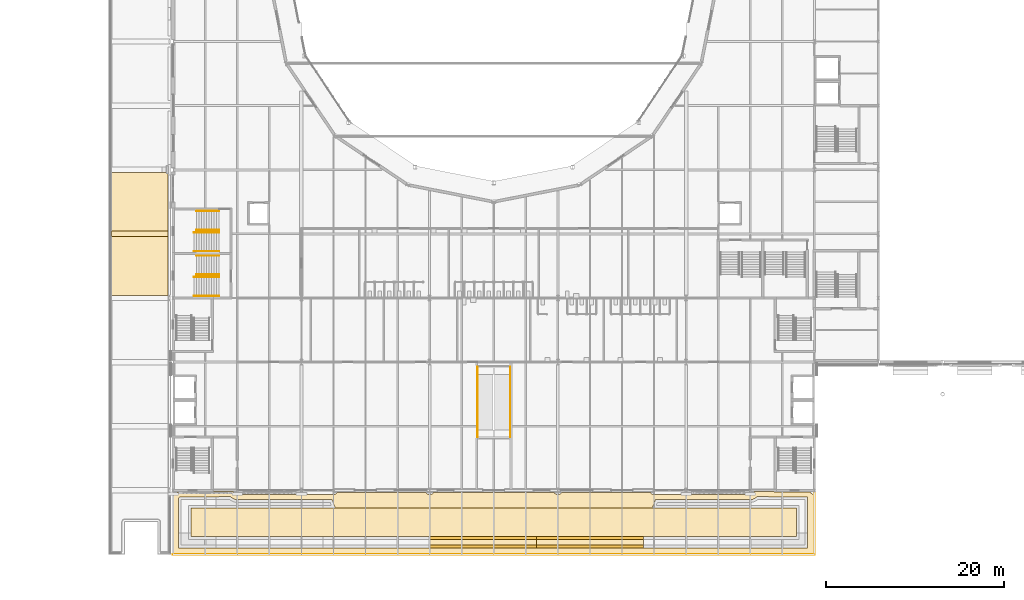
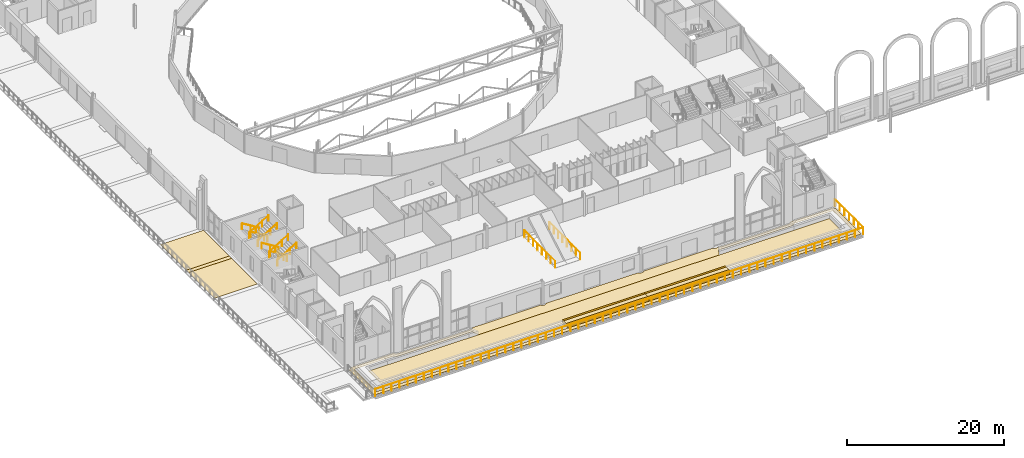
# One storey, part 105 of 143: 11 coverings, 11 railings.
"""IFC4 building model written with IfcOpenShell, lengths in metres."""

from ifc_helpers import new_model, si_unit, direction, frame, origin, origin_2d, place, context, subcontext, project, spatial, polyline, circle, outline, extrude, material, layer, layer_set, type_object, element, save


model = new_model("IFC4")

# Units and contexts
model_context = context("Model", 3, precision=1e-05, world=origin(), true_north=direction((0.0, 1.0)))
body_context = subcontext(model_context, "Body", "Model", "MODEL_VIEW")
ifc_project = project(units=[si_unit("LENGTHUNIT", "METRE"), si_unit("AREAUNIT", "SQUARE_METRE"), si_unit("VOLUMEUNIT", "CUBIC_METRE"), si_unit("PLANEANGLEUNIT", "RADIAN"), si_unit("MASSUNIT", "GRAM", prefix="KILO")], contexts=[model_context])

# Site, building, storey
site_placement = place(None, origin())
site = spatial("IfcSite", under=ifc_project, at=site_placement, CompositionType="ELEMENT")
building_placement = place(site_placement, origin())
building = spatial("IfcBuilding", under=site, at=building_placement, Name="Kupolbacken Congress Centre", CompositionType="ELEMENT")
storey_placement = place(building_placement, frame((0.0, 0.0, 7.199951171875)))
storey = spatial("IfcBuildingStorey", under=building, at=storey_placement, Name="L02", CompositionType="ELEMENT", Elevation=7.199951171875)

# Coverings
ifc_material_1 = material(Name="Limestone cladding", Category="masonry")
ifc_layer_1 = layer(ifc_material_1, 0.60009765625)
ifc_layer_set_1 = layer_set([ifc_layer_1], Name="Limestone cladding")
covering_type_1 = type_object("IfcCoveringType", Name="CV5 limestone arcade pier 600", PredefinedType="CLADDING", material=ifc_layer_set_1)
covering_1_placement = place(storey_placement, origin())
element("IfcCovering", 1, at=covering_1_placement, inside=storey, type_object=covering_type_1, Name="Bed kerb, roof garden", PredefinedType="CLADDING", context=body_context, shape_type="SweptSolid", body=[
    extrude(outline(polyline([(48.0, 23.6025390625), (48.0, 23.302490234375), (36.0, 23.302490234375), (36.0, 23.6025390625), (48.0, 23.6025390625)])), origin(), (0.0, 0.0, 1.0), 0.60009765625),
])
covering_2_placement = place(storey_placement, origin())
element("IfcCovering", 2, at=covering_2_placement, inside=storey, type_object=covering_type_1, Name="Bed kerb, roof garden", PredefinedType="CLADDING", context=body_context, shape_type="SweptSolid", body=[
    extrude(outline(polyline([(36.0, 22.35009765625), (36.0, 22.64990234375), (48.0, 22.64990234375), (48.0, 22.35009765625), (36.0, 22.35009765625)])), origin(), (0.0, 0.0, 1.0), 0.60009765625),
])
covering_3_placement = place(storey_placement, origin())
element("IfcCovering", 3, at=covering_3_placement, inside=storey, type_object=covering_type_1, Name="Bed kerb, roof garden", PredefinedType="CLADDING", context=body_context, shape_type="SweptSolid", body=[
    extrude(outline(polyline([(60.0, 23.6025390625), (60.0, 23.302490234375), (48.0, 23.302490234375), (48.0, 23.6025390625), (60.0, 23.6025390625)])), origin(), (0.0, 0.0, 1.0), 0.60009765625),
])
covering_4_placement = place(storey_placement, origin())
element("IfcCovering", 4, at=covering_4_placement, inside=storey, type_object=covering_type_1, Name="Bed kerb, roof garden", PredefinedType="CLADDING", context=body_context, shape_type="SweptSolid", body=[
    extrude(outline(polyline([(48.0, 22.35009765625), (48.0, 22.64990234375), (60.0, 22.64990234375), (60.0, 22.35009765625), (48.0, 22.35009765625)])), origin(), (0.0, 0.0, 1.0), 0.60009765625),
])
ifc_material_2 = material(Name="Limestone cladding", Category="masonry")
ifc_layer_2 = layer(ifc_material_2, 0.02001953125)
ifc_layer_set_2 = layer_set([ifc_layer_2], Name="Limestone cladding")
covering_type_2 = type_object("IfcCoveringType", Name="GF1 limestone paving 20", PredefinedType="FLOORING", material=ifc_layer_set_2)
covering_5_placement = place(storey_placement, origin())
element("IfcCovering", 5, at=covering_5_placement, inside=storey, type_object=covering_type_2, Name="West paving band", PredefinedType="FLOORING", context=body_context, shape_type="SweptSolid", body=[
    extrude(outline(polyline([(0.301025390625, 57.300048828125), (0.301025390625, 57.89990234375), (6.625, 57.89990234375), (6.625, 57.300048828125), (0.301025390625, 57.300048828125)])), origin(), (0.0, 0.0, 1.0), 0.02001953125),
])
covering_6_placement = place(storey_placement, origin())
element("IfcCovering", 6, at=covering_6_placement, inside=storey, type_object=covering_type_2, Name="Roof walk, roof garden", PredefinedType="FLOORING", context=body_context, shape_type="SweptSolid", body=[
    extrude(outline(polyline([(7.293701171875, 28.3291015625), (7.33935546875, 28.340576171875), (7.3837890625, 28.3564453125), (7.42626953125, 28.376708984375), (7.466796875, 28.40087890625), (7.50439453125, 28.428955078125), (7.539306640625, 28.460693359375), (7.571044921875, 28.49560546875), (7.59912109375, 28.533203125), (7.623291015625, 28.57373046875), (7.6435546875, 28.6162109375), (7.65380859375, 28.64501953125), (11.445068359375, 28.64501953125), (11.7548828125, 28.64501953125), (11.7548828125, 28.669921875), (13.96337890625, 28.669921875), (13.965576171875, 28.66064453125), (13.9814453125, 28.6162109375), (14.001708984375, 28.57373046875), (14.02587890625, 28.533203125), (14.053955078125, 28.49560546875), (14.085693359375, 28.460693359375), (14.12060546875, 28.428955078125), (14.158203125, 28.40087890625), (14.19873046875, 28.376708984375), (14.2412109375, 28.3564453125), (14.28564453125, 28.340576171875), (14.331298828125, 28.3291015625), (14.3779296875, 28.322265625), (14.425048828125, 28.320068359375), (14.4375, 28.320556640625), (14.44921875, 28.320068359375), (16.13818359375, 28.320068359375), (16.14990234375, 28.320556640625), (16.16259765625, 28.320068359375), (16.175048828125, 28.320556640625), (16.186767578125, 28.320068359375), (17.900634765625, 28.320068359375), (17.91259765625, 28.320556640625), (17.925048828125, 28.320068359375), (17.9375, 28.320556640625), (17.94921875, 28.320068359375), (19.6630859375, 28.320068359375), (19.675048828125, 28.320556640625), (19.6875, 28.320068359375), (19.699951171875, 28.320556640625), (19.7119140625, 28.320068359375), (21.400634765625, 28.320068359375), (21.41259765625, 28.320556640625), (21.425048828125, 28.320068359375), (21.47216796875, 28.322265625), (21.512451171875, 28.328369140625), (21.552978515625, 28.322265625), (21.60009765625, 28.320068359375), (21.647216796875, 28.322265625), (21.68994140625, 28.32861328125), (21.73291015625, 28.322265625), (21.780029296875, 28.320068359375), (21.794921875, 28.32080078125), (21.809326171875, 28.320068359375), (23.44580078125, 28.320068359375), (23.4599609375, 28.32080078125), (23.47509765625, 28.320068359375), (23.489990234375, 28.32080078125), (23.50439453125, 28.320068359375), (25.140625, 28.320068359375), (25.155029296875, 28.32080078125), (25.169921875, 28.320068359375), (25.217041015625, 28.322265625), (25.263671875, 28.3291015625), (25.309326171875, 28.340576171875), (25.353759765625, 28.3564453125), (25.396240234375, 28.376708984375), (25.436767578125, 28.40087890625), (25.474609375, 28.428955078125), (25.509521484375, 28.460693359375), (25.541015625, 28.49560546875), (25.569091796875, 28.533203125), (25.572998046875, 28.5400390625), (35.596923828125, 28.5400390625), (35.600830078125, 28.533203125), (35.62890625, 28.49560546875), (35.66064453125, 28.460693359375), (35.695556640625, 28.428955078125), (35.7333984375, 28.40087890625), (35.773681640625, 28.376708984375), (35.81640625, 28.3564453125), (35.860595703125, 28.340576171875), (35.90625, 28.3291015625), (35.952880859375, 28.322265625), (36.0, 28.320068359375), (36.047119140625, 28.322265625), (36.09375, 28.3291015625), (36.139404296875, 28.340576171875), (36.18359375, 28.3564453125), (36.226318359375, 28.376708984375), (36.2666015625, 28.40087890625), (36.304443359375, 28.428955078125), (36.33935546875, 28.460693359375), (36.37109375, 28.49560546875), (36.399169921875, 28.533203125), (36.403076171875, 28.5400390625), (49.996826171875, 28.5400390625), (50.0009765625, 28.533203125), (50.02880859375, 28.49560546875), (50.060546875, 28.460693359375), (50.095458984375, 28.428955078125), (50.13330078125, 28.40087890625), (50.173583984375, 28.376708984375), (50.21630859375, 28.3564453125), (50.2607421875, 28.340576171875), (50.306396484375, 28.3291015625), (50.352783203125, 28.322265625), (50.39990234375, 28.320068359375), (50.447021484375, 28.322265625), (50.49365234375, 28.3291015625), (50.539306640625, 28.340576171875), (50.583740234375, 28.3564453125), (50.626220703125, 28.376708984375), (50.666748046875, 28.40087890625), (50.70458984375, 28.428955078125), (50.739501953125, 28.460693359375), (50.77099609375, 28.49560546875), (50.799072265625, 28.533203125), (50.802978515625, 28.5400390625), (60.826904296875, 28.5400390625), (60.830810546875, 28.533203125), (60.85888671875, 28.49560546875), (60.890625, 28.460693359375), (60.925537109375, 28.428955078125), (60.96337890625, 28.40087890625), (61.003662109375, 28.376708984375), (61.04638671875, 28.3564453125), (61.0908203125, 28.340576171875), (61.13623046875, 28.3291015625), (61.182861328125, 28.322265625), (61.22998046875, 28.320068359375), (61.2451171875, 28.32080078125), (61.25927734375, 28.320068359375), (62.895751953125, 28.320068359375), (62.909912109375, 28.32080078125), (62.925048828125, 28.320068359375), (62.93994140625, 28.32080078125), (62.954345703125, 28.320068359375), (64.5908203125, 28.320068359375), (64.60498046875, 28.32080078125), (64.6201171875, 28.320068359375), (64.6669921875, 28.322265625), (64.7099609375, 28.32861328125), (64.7529296875, 28.322265625), (64.800048828125, 28.320068359375), (64.84716796875, 28.322265625), (64.887451171875, 28.328369140625), (64.927978515625, 28.322265625), (64.97509765625, 28.320068359375), (64.987548828125, 28.320556640625), (64.999267578125, 28.320068359375), (66.688232421875, 28.320068359375), (66.699951171875, 28.320556640625), (66.71240234375, 28.320068359375), (66.72509765625, 28.320556640625), (66.73681640625, 28.320068359375), (68.45068359375, 28.320068359375), (68.46240234375, 28.320556640625), (68.47509765625, 28.320068359375), (68.487548828125, 28.320556640625), (68.499267578125, 28.320068359375), (70.213134765625, 28.320068359375), (70.22509765625, 28.320556640625), (70.237548828125, 28.320068359375), (70.25, 28.320556640625), (70.26171875, 28.320068359375), (71.95068359375, 28.320068359375), (71.96240234375, 28.320556640625), (71.97509765625, 28.320068359375), (72.022216796875, 28.322265625), (72.068603515625, 28.3291015625), (72.1142578125, 28.340576171875), (72.15869140625, 28.3564453125), (72.201416015625, 28.376708984375), (72.24169921875, 28.40087890625), (72.279541015625, 28.428955078125), (72.314453125, 28.460693359375), (72.34619140625, 28.49560546875), (72.3740234375, 28.533203125), (72.3984375, 28.57373046875), (72.41845703125, 28.6162109375), (72.434326171875, 28.66064453125), (72.436767578125, 28.669921875), (74.64501953125, 28.669921875), (74.64501953125, 28.64501953125), (74.89501953125, 28.64501953125), (74.955078125, 28.64501953125), (78.74609375, 28.64501953125), (78.756591796875, 28.6162109375), (78.776611328125, 28.57373046875), (78.80078125, 28.533203125), (78.828857421875, 28.49560546875), (78.860595703125, 28.460693359375), (78.8955078125, 28.428955078125), (78.933349609375, 28.40087890625), (78.9736328125, 28.376708984375), (79.016357421875, 28.3564453125), (79.02001953125, 28.355224609375), (79.02001953125, 21.780029296875), (7.202392578125, 21.780029296875), (7.202392578125, 28.320068359375), (7.2470703125, 28.322265625), (7.293701171875, 28.3291015625)]), holes=[polyline([(78.449951171875, 22.35009765625), (78.449951171875, 28.064697265625), (78.440673828125, 28.074951171875), (75.52490234375, 28.074951171875), (74.324951171875, 28.074951171875), (74.074951171875, 28.074951171875), (74.074951171875, 28.10009765625), (72.7568359375, 28.10009765625), (72.718017578125, 28.056884765625), (72.6416015625, 27.98779296875), (72.558837890625, 27.926513671875), (72.47021484375, 27.873291015625), (72.377197265625, 27.829345703125), (72.280029296875, 27.79443359375), (72.179931640625, 27.76953125), (72.077880859375, 27.75439453125), (71.97509765625, 27.749267578125), (71.960205078125, 27.75), (70.252197265625, 27.75), (70.237548828125, 27.749267578125), (70.222900390625, 27.75), (68.48974609375, 27.75), (68.47509765625, 27.749267578125), (68.460205078125, 27.75), (66.727294921875, 27.75), (66.71240234375, 27.749267578125), (66.69775390625, 27.75), (64.98974609375, 27.75), (64.97509765625, 27.749267578125), (64.887451171875, 27.753662109375), (64.800048828125, 27.749267578125), (64.7099609375, 27.753662109375), (64.6201171875, 27.749267578125), (64.60498046875, 27.75), (64.604736328125, 27.75), (62.940185546875, 27.75), (62.93994140625, 27.75), (62.925048828125, 27.749267578125), (62.909912109375, 27.75), (62.90966796875, 27.75), (61.3525390625, 27.75), (61.33203125, 27.66796875), (61.203125, 27.3076171875), (61.03955078125, 26.961669921875), (60.941162109375, 26.797607421875), (25.458740234375, 26.797607421875), (25.360595703125, 26.961669921875), (25.197021484375, 27.3076171875), (25.06787109375, 27.66796875), (25.04736328125, 27.75), (23.490234375, 27.75), (23.489990234375, 27.75), (23.47509765625, 27.749267578125), (23.4599609375, 27.75), (23.459716796875, 27.75), (21.79541015625, 27.75), (21.794921875, 27.75), (21.780029296875, 27.749267578125), (21.68994140625, 27.753662109375), (21.60009765625, 27.749267578125), (21.512451171875, 27.753662109375), (21.425048828125, 27.749267578125), (21.410400390625, 27.75), (19.7021484375, 27.75), (19.6875, 27.749267578125), (19.6728515625, 27.75), (17.939697265625, 27.75), (17.925048828125, 27.749267578125), (17.910400390625, 27.75), (16.17724609375, 27.75), (16.16259765625, 27.749267578125), (16.147705078125, 27.75), (14.439697265625, 27.75), (14.425048828125, 27.749267578125), (14.322021484375, 27.75439453125), (14.219970703125, 27.76953125), (14.1201171875, 27.79443359375), (14.02294921875, 27.829345703125), (13.9296875, 27.873291015625), (13.84130859375, 27.926513671875), (13.75830078125, 27.98779296875), (13.681884765625, 28.056884765625), (13.64306640625, 28.10009765625), (12.324951171875, 28.10009765625), (12.324951171875, 28.074951171875), (10.875, 28.074951171875), (7.959228515625, 28.074951171875), (7.943115234375, 28.056884765625), (7.86669921875, 27.98779296875), (7.802490234375, 27.940185546875), (7.802490234375, 22.35009765625), (78.449951171875, 22.35009765625)])]), origin(), (0.0, 0.0, 1.0), 0.02001953125),
])
ifc_material_3 = material(Name="Brick", Category="masonry")
ifc_layer_3 = layer(ifc_material_3, 0.02001953125)
ifc_layer_set_3 = layer_set([ifc_layer_3], Name="Brick")
covering_type_3 = type_object("IfcCoveringType", Name="GF2 brick paving 20", PredefinedType="FLOORING", material=ifc_layer_set_3)
covering_7_placement = place(storey_placement, origin())
element("IfcCovering", 7, at=covering_7_placement, inside=storey, type_object=covering_type_3, Name="West terrace brick paving", PredefinedType="FLOORING", context=body_context, shape_type="SweptSolid", body=[
    extrude(outline(polyline([(6.625, 50.699951171875), (0.301025390625, 50.699951171875), (0.301025390625, 57.300048828125), (6.625, 57.300048828125), (6.625, 50.699951171875)])), origin(), (0.0, 0.0, 1.0), 0.02001953125),
])
covering_8_placement = place(storey_placement, origin())
element("IfcCovering", 8, at=covering_8_placement, inside=storey, type_object=covering_type_3, Name="West terrace brick paving", PredefinedType="FLOORING", context=body_context, shape_type="SweptSolid", body=[
    extrude(outline(polyline([(6.625, 57.89990234375), (0.301025390625, 57.89990234375), (0.301025390625, 64.5), (6.625, 64.5), (6.625, 57.89990234375)])), origin(), (0.0, 0.0, 1.0), 0.02001953125),
])
covering_9_placement = place(storey_placement, origin())
element("IfcCovering", 9, at=covering_9_placement, inside=storey, type_object=covering_type_3, Name="Roof walk border, roof garden", PredefinedType="FLOORING", context=body_context, shape_type="SweptSolid", body=[
    extrude(outline(polyline([(9.202392578125, 26.797607421875), (25.458740234375, 26.797607421875), (60.941162109375, 26.797607421875), (77.197509765625, 26.797607421875), (77.197509765625, 23.6025390625), (9.202392578125, 23.6025390625), (9.202392578125, 26.797607421875)])), origin(), (0.0, 0.0, 1.0), 0.02001953125),
])
ifc_material_4 = material(Name="Planting substrate", Category="soil")
ifc_layer_4 = layer(ifc_material_4, 0.60009765625)
ifc_layer_set_4 = layer_set([ifc_layer_4], Name="Planting substrate")
covering_type_4 = type_object("IfcCoveringType", Name="GR8 planting substrate 600", PredefinedType="FLOORING", material=ifc_layer_set_4)
covering_10_placement = place(storey_placement, origin())
element("IfcCovering", 10, at=covering_10_placement, inside=storey, type_object=covering_type_4, Name="Planting bed, roof garden", PredefinedType="FLOORING", context=body_context, shape_type="SweptSolid", body=[
    extrude(outline(polyline([(48.0, 23.302490234375), (48.0, 22.64990234375), (36.0, 22.64990234375), (36.0, 23.302490234375), (48.0, 23.302490234375)])), origin(), (0.0, 0.0, 1.0), 0.60009765625),
])
covering_11_placement = place(storey_placement, origin())
element("IfcCovering", 11, at=covering_11_placement, inside=storey, type_object=covering_type_4, Name="Planting bed, roof garden", PredefinedType="FLOORING", context=body_context, shape_type="SweptSolid", body=[
    extrude(outline(polyline([(60.0, 23.302490234375), (60.0, 22.64990234375), (48.0, 22.64990234375), (48.0, 23.302490234375), (60.0, 23.302490234375)])), origin(), (0.0, 0.0, 1.0), 0.60009765625),
])

# Railings
ifc_material_5 = material(Name="Steel S235", Category="steel")
railing_type_1 = type_object("IfcRailingType", Name="RL1 guard 1100 steel balustrade", PredefinedType="GUARDRAIL", material=ifc_material_5)
railing_placement = place(storey_placement, frame((79.199951171875, 28.800048828125, 0.0)))
element("IfcRailing", 12, at=railing_placement, inside=storey, type_object=railing_type_1, Name="E/guard/terrace-south", PredefinedType="GUARDRAIL", context=body_context, shape_type="SweptSolid", body=[
    extrude(circle(Radius=0.02392578125, at=origin_2d()), frame((0.0, 0.0, 1.076171875), z_axis=(0.0, -1.0, 0.0), x_axis=(1.0, 0.0, 0.0)), (0.0, 0.0, 1.0), 7.199951171875),
    extrude(circle(Radius=0.02392578125, at=origin_2d()), frame((0.0, -7.199951171875, 1.076171875), z_axis=(-1.0, 0.0, 0.0), x_axis=(0.0, -1.0, 0.0)), (0.0, 0.0, 1.0), 72.0),
    extrude(circle(Radius=0.02099609375, at=origin_2d()), origin(), (0.0, 0.0, 1.0), 1.052001953125),
    extrude(circle(Radius=0.02099609375, at=origin_2d()), frame((0.0, -1.199951171875, 0.0)), (0.0, 0.0, 1.0), 1.052001953125),
    extrude(circle(Radius=0.02099609375, at=origin_2d()), frame((0.0, -2.39990234375, 0.0)), (0.0, 0.0, 1.0), 1.052001953125),
    extrude(circle(Radius=0.02099609375, at=origin_2d()), frame((0.0, -3.60009765625, 0.0)), (0.0, 0.0, 1.0), 1.052001953125),
    extrude(circle(Radius=0.02099609375, at=origin_2d()), frame((0.0, -4.800048828125, 0.0)), (0.0, 0.0, 1.0), 1.052001953125),
    extrude(circle(Radius=0.02099609375, at=origin_2d()), frame((0.0, -6.0, 0.0)), (0.0, 0.0, 1.0), 1.052001953125),
    extrude(circle(Radius=0.02099609375, at=origin_2d()), frame((0.0, -7.199951171875, 0.0)), (0.0, 0.0, 1.0), 1.052001953125),
    extrude(circle(Radius=0.02099609375, at=origin_2d()), frame((-1.199951171875, -7.199951171875, 0.0)), (0.0, 0.0, 1.0), 1.052001953125),
    extrude(circle(Radius=0.02099609375, at=origin_2d()), frame((-2.39990234375, -7.199951171875, 0.0)), (0.0, 0.0, 1.0), 1.052001953125),
    extrude(circle(Radius=0.02099609375, at=origin_2d()), frame((-3.60009765625, -7.199951171875, 0.0)), (0.0, 0.0, 1.0), 1.052001953125),
    extrude(circle(Radius=0.02099609375, at=origin_2d()), frame((-4.800048828125, -7.199951171875, 0.0)), (0.0, 0.0, 1.0), 1.052001953125),
    extrude(circle(Radius=0.02099609375, at=origin_2d()), frame((-6.0, -7.199951171875, 0.0)), (0.0, 0.0, 1.0), 1.052001953125),
    extrude(circle(Radius=0.02099609375, at=origin_2d()), frame((-7.199951171875, -7.199951171875, 0.0)), (0.0, 0.0, 1.0), 1.052001953125),
    extrude(circle(Radius=0.02099609375, at=origin_2d()), frame((-8.39990234375, -7.199951171875, 0.0)), (0.0, 0.0, 1.0), 1.052001953125),
    extrude(circle(Radius=0.02099609375, at=origin_2d()), frame((-9.60009765625, -7.199951171875, 0.0)), (0.0, 0.0, 1.0), 1.052001953125),
    extrude(circle(Radius=0.02099609375, at=origin_2d()), frame((-10.800048828125, -7.199951171875, 0.0)), (0.0, 0.0, 1.0), 1.052001953125),
    extrude(circle(Radius=0.02099609375, at=origin_2d()), frame((-12.0, -7.199951171875, 0.0)), (0.0, 0.0, 1.0), 1.052001953125),
    extrude(circle(Radius=0.02099609375, at=origin_2d()), frame((-13.199951171875, -7.199951171875, 0.0)), (0.0, 0.0, 1.0), 1.052001953125),
    extrude(circle(Radius=0.02099609375, at=origin_2d()), frame((-14.39990234375, -7.199951171875, 0.0)), (0.0, 0.0, 1.0), 1.052001953125),
    extrude(circle(Radius=0.02099609375, at=origin_2d()), frame((-15.60009765625, -7.199951171875, 0.0)), (0.0, 0.0, 1.0), 1.052001953125),
    extrude(circle(Radius=0.02099609375, at=origin_2d()), frame((-16.800048828125, -7.199951171875, 0.0)), (0.0, 0.0, 1.0), 1.052001953125),
    extrude(circle(Radius=0.02099609375, at=origin_2d()), frame((-18.0, -7.199951171875, 0.0)), (0.0, 0.0, 1.0), 1.052001953125),
    extrude(circle(Radius=0.02099609375, at=origin_2d()), frame((-19.199951171875, -7.199951171875, 0.0)), (0.0, 0.0, 1.0), 1.052001953125),
    extrude(circle(Radius=0.02099609375, at=origin_2d()), frame((-20.39990234375, -7.199951171875, 0.0)), (0.0, 0.0, 1.0), 1.052001953125),
    extrude(circle(Radius=0.02099609375, at=origin_2d()), frame((-21.60009765625, -7.199951171875, 0.0)), (0.0, 0.0, 1.0), 1.052001953125),
    extrude(circle(Radius=0.02099609375, at=origin_2d()), frame((-22.800048828125, -7.199951171875, 0.0)), (0.0, 0.0, 1.0), 1.052001953125),
    extrude(circle(Radius=0.02099609375, at=origin_2d()), frame((-24.0, -7.199951171875, 0.0)), (0.0, 0.0, 1.0), 1.052001953125),
    extrude(circle(Radius=0.02099609375, at=origin_2d()), frame((-25.199951171875, -7.199951171875, 0.0)), (0.0, 0.0, 1.0), 1.052001953125),
    extrude(circle(Radius=0.02099609375, at=origin_2d()), frame((-26.39990234375, -7.199951171875, 0.0)), (0.0, 0.0, 1.0), 1.052001953125),
    extrude(circle(Radius=0.02099609375, at=origin_2d()), frame((-27.60009765625, -7.199951171875, 0.0)), (0.0, 0.0, 1.0), 1.052001953125),
    extrude(circle(Radius=0.02099609375, at=origin_2d()), frame((-28.800048828125, -7.199951171875, 0.0)), (0.0, 0.0, 1.0), 1.052001953125),
    extrude(circle(Radius=0.02099609375, at=origin_2d()), frame((-30.0, -7.199951171875, 0.0)), (0.0, 0.0, 1.0), 1.052001953125),
    extrude(circle(Radius=0.02099609375, at=origin_2d()), frame((-31.199951171875, -7.199951171875, 0.0)), (0.0, 0.0, 1.0), 1.052001953125),
    extrude(circle(Radius=0.02099609375, at=origin_2d()), frame((-32.39990234375, -7.199951171875, 0.0)), (0.0, 0.0, 1.0), 1.052001953125),
    extrude(circle(Radius=0.02099609375, at=origin_2d()), frame((-33.60009765625, -7.199951171875, 0.0)), (0.0, 0.0, 1.0), 1.052001953125),
    extrude(circle(Radius=0.02099609375, at=origin_2d()), frame((-34.800048828125, -7.199951171875, 0.0)), (0.0, 0.0, 1.0), 1.052001953125),
    extrude(circle(Radius=0.02099609375, at=origin_2d()), frame((-36.0, -7.199951171875, 0.0)), (0.0, 0.0, 1.0), 1.052001953125),
    extrude(circle(Radius=0.02099609375, at=origin_2d()), frame((-37.199951171875, -7.199951171875, 0.0)), (0.0, 0.0, 1.0), 1.052001953125),
    extrude(circle(Radius=0.02099609375, at=origin_2d()), frame((-38.39990234375, -7.199951171875, 0.0)), (0.0, 0.0, 1.0), 1.052001953125),
    extrude(circle(Radius=0.02099609375, at=origin_2d()), frame((-39.60009765625, -7.199951171875, 0.0)), (0.0, 0.0, 1.0), 1.052001953125),
    extrude(circle(Radius=0.02099609375, at=origin_2d()), frame((-40.800048828125, -7.199951171875, 0.0)), (0.0, 0.0, 1.0), 1.052001953125),
    extrude(circle(Radius=0.02099609375, at=origin_2d()), frame((-42.0, -7.199951171875, 0.0)), (0.0, 0.0, 1.0), 1.052001953125),
    extrude(circle(Radius=0.02099609375, at=origin_2d()), frame((-43.199951171875, -7.199951171875, 0.0)), (0.0, 0.0, 1.0), 1.052001953125),
    extrude(circle(Radius=0.02099609375, at=origin_2d()), frame((-44.39990234375, -7.199951171875, 0.0)), (0.0, 0.0, 1.0), 1.052001953125),
    extrude(circle(Radius=0.02099609375, at=origin_2d()), frame((-45.60009765625, -7.199951171875, 0.0)), (0.0, 0.0, 1.0), 1.052001953125),
    extrude(circle(Radius=0.02099609375, at=origin_2d()), frame((-46.800048828125, -7.199951171875, 0.0)), (0.0, 0.0, 1.0), 1.052001953125),
    extrude(circle(Radius=0.02099609375, at=origin_2d()), frame((-48.0, -7.199951171875, 0.0)), (0.0, 0.0, 1.0), 1.052001953125),
    extrude(circle(Radius=0.02099609375, at=origin_2d()), frame((-49.199951171875, -7.199951171875, 0.0)), (0.0, 0.0, 1.0), 1.052001953125),
    extrude(circle(Radius=0.02099609375, at=origin_2d()), frame((-50.39990234375, -7.199951171875, 0.0)), (0.0, 0.0, 1.0), 1.052001953125),
    extrude(circle(Radius=0.02099609375, at=origin_2d()), frame((-51.60009765625, -7.199951171875, 0.0)), (0.0, 0.0, 1.0), 1.052001953125),
    extrude(circle(Radius=0.02099609375, at=origin_2d()), frame((-52.800048828125, -7.199951171875, 0.0)), (0.0, 0.0, 1.0), 1.052001953125),
    extrude(circle(Radius=0.02099609375, at=origin_2d()), frame((-54.0, -7.199951171875, 0.0)), (0.0, 0.0, 1.0), 1.052001953125),
    extrude(circle(Radius=0.02099609375, at=origin_2d()), frame((-55.199951171875, -7.199951171875, 0.0)), (0.0, 0.0, 1.0), 1.052001953125),
    extrude(circle(Radius=0.02099609375, at=origin_2d()), frame((-56.39990234375, -7.199951171875, 0.0)), (0.0, 0.0, 1.0), 1.052001953125),
    extrude(circle(Radius=0.02099609375, at=origin_2d()), frame((-57.60009765625, -7.199951171875, 0.0)), (0.0, 0.0, 1.0), 1.052001953125),
    extrude(circle(Radius=0.02099609375, at=origin_2d()), frame((-58.800048828125, -7.199951171875, 0.0)), (0.0, 0.0, 1.0), 1.052001953125),
    extrude(circle(Radius=0.02099609375, at=origin_2d()), frame((-60.0, -7.199951171875, 0.0)), (0.0, 0.0, 1.0), 1.052001953125),
    extrude(circle(Radius=0.02099609375, at=origin_2d()), frame((-61.199951171875, -7.199951171875, 0.0)), (0.0, 0.0, 1.0), 1.052001953125),
    extrude(circle(Radius=0.02099609375, at=origin_2d()), frame((-62.39990234375, -7.199951171875, 0.0)), (0.0, 0.0, 1.0), 1.052001953125),
    extrude(circle(Radius=0.02099609375, at=origin_2d()), frame((-63.60009765625, -7.199951171875, 0.0)), (0.0, 0.0, 1.0), 1.052001953125),
    extrude(circle(Radius=0.02099609375, at=origin_2d()), frame((-64.800048828125, -7.199951171875, 0.0)), (0.0, 0.0, 1.0), 1.052001953125),
    extrude(circle(Radius=0.02099609375, at=origin_2d()), frame((-66.0, -7.199951171875, 0.0)), (0.0, 0.0, 1.0), 1.052001953125),
    extrude(circle(Radius=0.02099609375, at=origin_2d()), frame((-67.199951171875, -7.199951171875, 0.0)), (0.0, 0.0, 1.0), 1.052001953125),
    extrude(circle(Radius=0.02099609375, at=origin_2d()), frame((-68.39990234375, -7.199951171875, 0.0)), (0.0, 0.0, 1.0), 1.052001953125),
    extrude(circle(Radius=0.02099609375, at=origin_2d()), frame((-69.60009765625, -7.199951171875, 0.0)), (0.0, 0.0, 1.0), 1.052001953125),
    extrude(circle(Radius=0.02099609375, at=origin_2d()), frame((-70.800048828125, -7.199951171875, 0.0)), (0.0, 0.0, 1.0), 1.052001953125),
    extrude(circle(Radius=0.02099609375, at=origin_2d()), frame((-72.0, -7.199951171875, 0.0)), (0.0, 0.0, 1.0), 1.052001953125),
])
for number, where, name in (
    (13, (41.35009765625, 34.76220703125, 0.0), "C/esc/guard/L02/W"),
    (14, (45.050048828125, 34.76220703125, 0.0), "C/esc/guard/L02/E"),
):
    element("IfcRailing", number, at=place(storey_placement, frame(where)), inside=storey, type_object=railing_type_1, Name=name, PredefinedType="GUARDRAIL", context=body_context, shape_type="SweptSolid", body=[
        extrude(circle(Radius=0.02392578125, at=origin_2d()), frame((0.0, 0.0, 1.076171875), z_axis=(0.0, 1.0, 0.0), x_axis=(-1.0, 0.0, 0.0)), (0.0, 0.0, 1.0), 7.87548828125),
        extrude(circle(Radius=0.02099609375, at=origin_2d()), origin(), (0.0, 0.0, 1.0), 1.052001953125),
        extrude(circle(Radius=0.02099609375, at=origin_2d()), frame((0.0, 1.125, 0.0)), (0.0, 0.0, 1.0), 1.052001953125),
        extrude(circle(Radius=0.02099609375, at=origin_2d()), frame((0.0, 2.250244140625, 0.0)), (0.0, 0.0, 1.0), 1.052001953125),
        extrude(circle(Radius=0.02099609375, at=origin_2d()), frame((0.0, 3.375244140625, 0.0)), (0.0, 0.0, 1.0), 1.052001953125),
        extrude(circle(Radius=0.02099609375, at=origin_2d()), frame((0.0, 4.500244140625, 0.0)), (0.0, 0.0, 1.0), 1.052001953125),
        extrude(circle(Radius=0.02099609375, at=origin_2d()), frame((0.0, 5.625244140625, 0.0)), (0.0, 0.0, 1.0), 1.052001953125),
        extrude(circle(Radius=0.02099609375, at=origin_2d()), frame((0.0, 6.75048828125, 0.0)), (0.0, 0.0, 1.0), 1.052001953125),
        extrude(circle(Radius=0.02099609375, at=origin_2d()), frame((0.0, 7.87548828125, 0.0)), (0.0, 0.0, 1.0), 1.052001953125),
    ])
ifc_material_6 = material(Name="Steel S235", Category="steel")
railing_type_2 = type_object("IfcRailingType", Name="RL3 handrail wall-mounted 900", PredefinedType="HANDRAIL", material=ifc_material_6)
for number, where, name in (
    (15, (12.344970703125, 53.050048828125, 0.17138671875), "C/stair/PS1SW/L02/HR1L"),
    (16, (12.344970703125, 55.14990234375, 0.17138671875), "C/stair/PS1SW/L02/HR1R"),
):
    element("IfcRailing", number, at=place(storey_placement, frame(where)), inside=storey, type_object=railing_type_2, Name=name, PredefinedType="HANDRAIL", context=body_context, shape_type="SweptSolid", body=[
        extrude(circle(Radius=0.02392578125, at=origin_2d()), frame((0.0, 0.0, 0.8759765625), z_axis=(-0.852836285881, 0.0, 0.522178388565), x_axis=(0.0, -1.0, 0.0)), (0.0, 0.0, 1.0), 2.954833984375),
        extrude(circle(Radius=0.02099609375, at=origin_2d()), origin(), (0.0, 0.0, 1.0), 0.851806640625),
        extrude(circle(Radius=0.02099609375, at=origin_2d()), frame((-1.260009765625, 0.0, 0.771484375)), (0.0, 0.0, 1.0), 0.851806640625),
        extrude(circle(Radius=0.02099609375, at=origin_2d()), frame((-2.52001953125, 0.0, 1.54296875)), (0.0, 0.0, 1.0), 0.851806640625),
    ])
for number, where, name in (
    (17, (9.544921875, 52.75, 1.8857421875), "C/stair/PS1SW/L02/HR2L"),
    (18, (9.544921875, 50.64990234375, 1.8857421875), "C/stair/PS1SW/L02/HR2R"),
):
    element("IfcRailing", number, at=place(storey_placement, frame(where)), inside=storey, type_object=railing_type_2, Name=name, PredefinedType="HANDRAIL", context=body_context, shape_type="SweptSolid", body=[
        extrude(circle(Radius=0.02392578125, at=origin_2d()), frame((0.0, 0.0, 0.8759765625), z_axis=(0.852845897599, 0.0, 0.522162690116), x_axis=(0.0, 1.0, 0.0)), (0.0, 0.0, 1.0), 3.283203125),
        extrude(circle(Radius=0.02099609375, at=origin_2d()), origin(), (0.0, 0.0, 1.0), 0.851806640625),
        extrude(circle(Radius=0.02099609375, at=origin_2d()), frame((0.933349609375, 0.0, 0.571533203125)), (0.0, 0.0, 1.0), 0.851806640625),
        extrude(circle(Radius=0.02099609375, at=origin_2d()), frame((1.86669921875, 0.0, 1.142822265625)), (0.0, 0.0, 1.0), 0.851806640625),
        extrude(circle(Radius=0.02099609375, at=origin_2d()), frame((2.800048828125, 0.0, 1.71435546875)), (0.0, 0.0, 1.0), 0.851806640625),
    ])
for number, where, name in (
    (19, (12.344970703125, 58.050048828125, 0.17138671875), "C/stair/PS2SW/L02/HR1L"),
    (20, (12.344970703125, 60.14990234375, 0.17138671875), "C/stair/PS2SW/L02/HR1R"),
):
    element("IfcRailing", number, at=place(storey_placement, frame(where)), inside=storey, type_object=railing_type_2, Name=name, PredefinedType="HANDRAIL", context=body_context, shape_type="SweptSolid", body=[
        extrude(circle(Radius=0.02392578125, at=origin_2d()), frame((0.0, 0.0, 0.8759765625), z_axis=(-0.852836285881, 0.0, 0.522178388565), x_axis=(0.0, -1.0, 0.0)), (0.0, 0.0, 1.0), 2.954833984375),
        extrude(circle(Radius=0.02099609375, at=origin_2d()), origin(), (0.0, 0.0, 1.0), 0.851806640625),
        extrude(circle(Radius=0.02099609375, at=origin_2d()), frame((-1.260009765625, 0.0, 0.771484375)), (0.0, 0.0, 1.0), 0.851806640625),
        extrude(circle(Radius=0.02099609375, at=origin_2d()), frame((-2.52001953125, 0.0, 1.54296875)), (0.0, 0.0, 1.0), 0.851806640625),
    ])
for number, where, name in (
    (21, (9.544921875, 57.75, 1.8857421875), "C/stair/PS2SW/L02/HR2L"),
    (22, (9.544921875, 55.64990234375, 1.8857421875), "C/stair/PS2SW/L02/HR2R"),
):
    element("IfcRailing", number, at=place(storey_placement, frame(where)), inside=storey, type_object=railing_type_2, Name=name, PredefinedType="HANDRAIL", context=body_context, shape_type="SweptSolid", body=[
        extrude(circle(Radius=0.02392578125, at=origin_2d()), frame((0.0, 0.0, 0.8759765625), z_axis=(0.852845897599, 0.0, 0.522162690116), x_axis=(0.0, 1.0, 0.0)), (0.0, 0.0, 1.0), 3.283203125),
        extrude(circle(Radius=0.02099609375, at=origin_2d()), origin(), (0.0, 0.0, 1.0), 0.851806640625),
        extrude(circle(Radius=0.02099609375, at=origin_2d()), frame((0.933349609375, 0.0, 0.571533203125)), (0.0, 0.0, 1.0), 0.851806640625),
        extrude(circle(Radius=0.02099609375, at=origin_2d()), frame((1.86669921875, 0.0, 1.142822265625)), (0.0, 0.0, 1.0), 0.851806640625),
        extrude(circle(Radius=0.02099609375, at=origin_2d()), frame((2.800048828125, 0.0, 1.71435546875)), (0.0, 0.0, 1.0), 0.851806640625),
    ])

save(model, "model.ifc")
